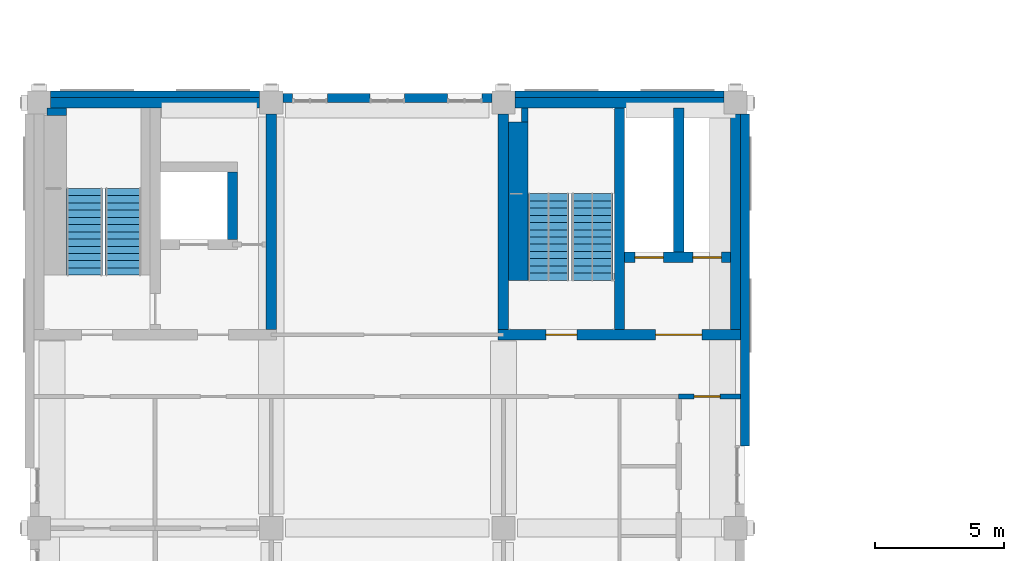
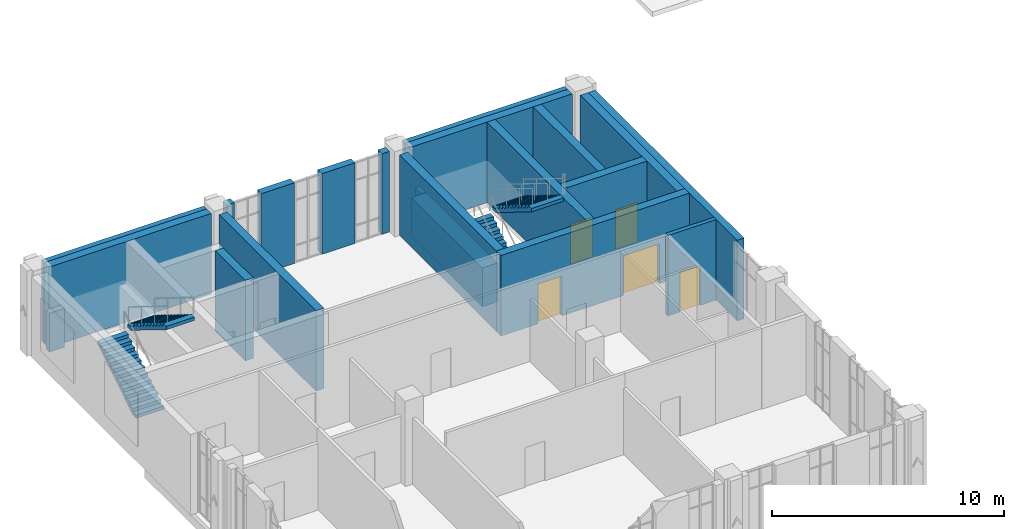
# One storey, part 18 of 25: 21 walls, 5 doors, 4 stair flights, 5 openings, 2 elements without a shape of their own.
"""IFC4 building model written with IfcOpenShell, lengths in metres."""

from ifc_helpers import new_model, si_unit, direction, frame, frame_2d, origin, place, context, subcontext, project, spatial, polyline, rectangle, outline, extrude, material, layer, layer_set, type_object, element, fill, aggregate, save


model = new_model("IFC4")

# Units and contexts
model_context = context("Model", 3, precision=1e-05, world=origin(), true_north=direction((0.0, 1.0)))
body_context = subcontext(model_context, "Body", "Model", "MODEL_VIEW")
ifc_project = project(units=[si_unit("LENGTHUNIT", "METRE"), si_unit("AREAUNIT", "SQUARE_METRE"), si_unit("VOLUMEUNIT", "CUBIC_METRE"), si_unit("PLANEANGLEUNIT", "RADIAN"), si_unit("MASSUNIT", "GRAM", prefix="KILO")], contexts=[model_context])

# Site, building, storey
site_placement = place(None, origin())
site = spatial("IfcSite", under=ifc_project, at=site_placement, CompositionType="ELEMENT")
building_placement = place(site_placement, origin())
building = spatial("IfcBuilding", under=site, at=building_placement, Name="Aurelan Courthouse", CompositionType="ELEMENT")
storey_placement = place(building_placement, frame((0.0, 0.0, 44.39990234375)))
storey = spatial("IfcBuildingStorey", under=building, at=storey_placement, Name="L08", CompositionType="ELEMENT", Elevation=44.39990234375)

# Walls
ifc_material_1 = material(Name="Limestone cladding", Category="masonry")
ifc_layer_1 = layer(ifc_material_1, 0.070068359375, Name="Facing")
ifc_material_2 = material(Name="Ventilated cavity")
ifc_layer_2 = layer(ifc_material_2, 0.02490234375, ventilated=True, Name="Ventilated cavity")
ifc_material_3 = material(Name="Mineral wool insulation")
ifc_layer_3 = layer(ifc_material_3, 0.034912109375, Name="Insulation")
ifc_material_4 = material(Name="Concrete C30", Category="concrete")
ifc_layer_4 = layer(ifc_material_4, 0.1201171875, Name="Structure")
ifc_layer_set_1 = layer_set([ifc_layer_1, ifc_layer_2, ifc_layer_3, ifc_layer_4], Name="Concrete C30")
wall_type_1 = type_object("IfcWallType", Name="Courts' Floors stone-faced wall 250", PredefinedType="SOLIDWALL", material=ifc_layer_set_1)
for number, where, z_axis, x_axis, name in (
    (1, (0.449951171875, 28.824951171875, 0.0), (0.0, 0.0, 1.0), (1.0, 0.0, 0.0), "Facade wall FW-V5-L08-012"),
    (2, (18.449951171875, 28.824951171875, 0.0), (0.0, 0.0, 1.0), (1.0, 0.0, 0.0), "Facade wall FW-V5-L08-017"),
):
    element("IfcWall", number, at=place(storey_placement, frame(where, z_axis=z_axis, x_axis=x_axis)), inside=storey, type_object=wall_type_1, Name=name, PredefinedType="SOLIDWALL", context=body_context, shape_type="SweptSolid", body=[
        extrude(rectangle(XDim=8.10009765625, YDim=0.25, at=frame_2d((4.050048828125, 0.0))), origin(), (0.0, 0.0, 1.0), 4.25),
    ])
ifc_layer_5 = layer(ifc_material_1, 0.10009765625, Name="Facing")
ifc_layer_6 = layer(ifc_material_2, 0.02490234375, ventilated=True, Name="Ventilated cavity")
ifc_layer_7 = layer(ifc_material_3, 0.050048828125, Name="Insulation")
ifc_layer_8 = layer(ifc_material_4, 0.175048828125, Name="Structure")
ifc_layer_set_2 = layer_set([ifc_layer_5, ifc_layer_6, ifc_layer_7, ifc_layer_8], Name="Concrete C30")
wall_type_2 = type_object("IfcWallType", Name="Courts' Floors stone-faced wall 350", PredefinedType="SOLIDWALL", material=ifc_layer_set_2)
wall_1_placement = place(storey_placement, frame((9.449951171875, 28.675048828125, 0.0), z_axis=(0.0, 0.0, 1.0), x_axis=(1.0, 0.0, 0.0)))
element("IfcWall", 3, at=wall_1_placement, inside=storey, type_object=wall_type_2, Name="Facade wall FW-V5-L08-013", PredefinedType="SOLIDWALL", context=body_context, shape_type="SweptSolid", body=[
    extrude(rectangle(XDim=0.375, YDim=0.35009765625, at=frame_2d((0.1875, 0.0))), origin(), (0.0, 0.0, 1.0), 4.25),
])
for number, where, z_axis, x_axis, name in (
    (4, (11.175048828125, 28.675048828125, 0.0), (0.0, 0.0, 1.0), (1.0, 0.0, 0.0), "Facade wall FW-V5-L08-014"),
    (5, (14.175048828125, 28.675048828125, 0.0), (0.0, 0.0, 1.0), (1.0, 0.0, 0.0), "Facade wall FW-V5-L08-015"),
):
    element("IfcWall", number, at=place(storey_placement, frame(where, z_axis=z_axis, x_axis=x_axis)), inside=storey, type_object=wall_type_2, Name=name, PredefinedType="SOLIDWALL", context=body_context, shape_type="SweptSolid", body=[
        extrude(rectangle(XDim=1.64990234375, YDim=0.35009765625, at=frame_2d((0.824951171875, 0.0))), origin(), (0.0, 0.0, 1.0), 4.25),
    ])
wall_2_placement = place(storey_placement, frame((17.175048828125, 28.675048828125, 0.0), z_axis=(0.0, 0.0, 1.0), x_axis=(1.0, 0.0, 0.0)))
element("IfcWall", 6, at=wall_2_placement, inside=storey, type_object=wall_type_2, Name="Facade wall FW-V5-L08-016", PredefinedType="SOLIDWALL", context=body_context, shape_type="SweptSolid", body=[
    extrude(rectangle(XDim=0.375, YDim=0.35009765625, at=frame_2d((0.1875, 0.0))), origin(), (0.0, 0.0, 1.0), 4.25),
])
wall_3_placement = place(storey_placement, frame((27.375, 15.1875, 0.0), z_axis=(0.0, 0.0, 1.0), x_axis=(0.0, 1.0, 0.0)))
element("IfcWall", 7, at=wall_3_placement, inside=storey, type_object=wall_type_2, Name="Facade wall FW-V5-L08-023", PredefinedType="SOLIDWALL", context=body_context, shape_type="SweptSolid", body=[
    extrude(rectangle(XDim=12.862548828125, YDim=0.35009765625, at=frame_2d((6.43115234375, 0.0))), origin(), (0.0, 0.0, 1.0), 4.25),
])

# Wall, opening, door
ifc_material_5 = material(Name="Masonry block", Category="masonry")
ifc_layer_9 = layer(ifc_material_5, 0.199951171875)
ifc_layer_set_3 = layer_set([ifc_layer_9], Name="Masonry block")
wall_type_3 = type_object("IfcWallType", Name="Lift lobby wall 200 EI 60", PredefinedType="PARTITIONING", material=ifc_layer_set_3)
wall_4_placement = place(storey_placement, frame((24.800048828125, 17.10009765625, 0.0), z_axis=(0.0, 0.0, 1.0), x_axis=(1.0, 0.0, 0.0)))
wall_4 = element("IfcWall", 8, at=wall_4_placement, inside=storey, type_object=wall_type_3, Name="Lift lobby wall L08-010", PredefinedType="PARTITIONING", context=body_context, shape_type="SweptSolid", body=[
    extrude(rectangle(XDim=2.39990234375, YDim=0.199951171875, at=frame_2d((1.199951171875, 0.0))), origin(), (0.0, 0.0, 1.0), 4.25),
])
opening_1_placement = place(wall_4_placement, frame((0.60009765625, 0.0, 0.0)))
opening_1 = element("IfcOpeningElement", 9, at=opening_1_placement, cuts=wall_4, Name="Opening D-L08-018", PredefinedType="OPENING", context=body_context, shape_type="SweptSolid", body=[
    extrude(rectangle(XDim=1.0, YDim=2.10009765625, at=frame_2d((0.5, 1.050048828125))), frame((0.0, 0.10986328125, 0.0), z_axis=(0.0, -1.0, 0.0), x_axis=(1.0, 0.0, 0.0)), (0.0, 0.0, 1.0), 0.219970703125),
])
ifc_material_6 = material(Name="Steel", Category="steel")
door_type_1 = type_object("IfcDoorType", Name="Single door 1000 x 2100 FD60", OperationType="SINGLE_SWING_LEFT", PredefinedType="DOOR", material=ifc_material_6)
door_1_placement = place(opening_1_placement, origin())
door_1 = element("IfcDoor", 10, at=door_1_placement, inside=storey, type_object=door_type_1, Name="Single door D-L08-018", OperationType="SINGLE_SWING_RIGHT", OverallHeight=2.10009765625, OverallWidth=1.0, PredefinedType="DOOR", context=body_context, shape_type="SweptSolid", body=[
    extrude(rectangle(XDim=1.0, YDim=2.10009765625, at=frame_2d((0.5, 1.050048828125))), frame((0.0, 0.02490234375, 0.0), z_axis=(0.0, -1.0, 0.0), x_axis=(1.0, 0.0, 0.0)), (0.0, 0.0, 1.0), 0.050048828125),
])
fill(opening_1, door_1)

# Wall, openings, doors
ifc_material_7 = material(Name="Concrete C50", Category="concrete")
ifc_layer_10 = layer(ifc_material_7, 0.39990234375)
ifc_layer_set_4 = layer_set([ifc_layer_10], Name="Concrete C50")
wall_type_4 = type_object("IfcWallType", Name="RC shear wall 400", PredefinedType="SHEAR", material=ifc_layer_set_4)
wall_5_placement = place(storey_placement, frame((17.800048828125, 19.5, 0.0), z_axis=(0.0, 0.0, 1.0), x_axis=(1.0, 0.0, 0.0)))
wall_5 = element("IfcWall", 11, at=wall_5_placement, inside=storey, type_object=wall_type_4, Name="Core wall SW-L08-002", PredefinedType="SHEAR", context=body_context, shape_type="SweptSolid", body=[
    extrude(rectangle(XDim=9.39990234375, YDim=0.39990234375, at=frame_2d((4.699951171875, 0.0))), origin(), (0.0, 0.0, 1.0), 4.25),
])
opening_2_placement = place(wall_5_placement, frame((1.85009765625, 0.0, 0.0)))
opening_2 = element("IfcOpeningElement", 12, at=opening_2_placement, cuts=wall_5, Name="Opening D-L08-006", PredefinedType="OPENING", context=body_context, shape_type="SweptSolid", body=[
    extrude(rectangle(XDim=1.199951171875, YDim=2.10009765625, at=frame_2d((0.60009765625, 1.050048828125))), frame((0.0, 0.2099609375, 0.0), z_axis=(0.0, -1.0, 0.0), x_axis=(1.0, 0.0, 0.0)), (0.0, 0.0, 1.0), 0.419921875),
])
opening_3_placement = place(wall_5_placement, frame((7.900146484375, 0.0, 0.0), z_axis=(0.0, 0.0, 1.0), x_axis=(-1.0, 0.0, 0.0)))
opening_3 = element("IfcOpeningElement", 13, at=opening_3_placement, cuts=wall_5, Name="Opening D-L08-007", PredefinedType="OPENING", context=body_context, shape_type="SweptSolid", body=[
    extrude(rectangle(XDim=1.800048828125, YDim=2.10009765625, at=frame_2d((0.89990234375, 1.050048828125))), frame((0.0, 0.2099609375, 0.0), z_axis=(0.0, -1.0, 0.0), x_axis=(1.0, 0.0, 0.0)), (0.0, 0.0, 1.0), 0.419921875),
])
door_type_2 = type_object("IfcDoorType", Name="Double door 1800 x 2100 FD90", OperationType="DOUBLE_DOOR_SINGLE_SWING", PredefinedType="DOOR", material=ifc_material_6)
door_2_placement = place(opening_3_placement, origin())
door_2 = element("IfcDoor", 14, at=door_2_placement, inside=storey, type_object=door_type_2, Name="Double door D-L08-007", OperationType="DOUBLE_DOOR_SINGLE_SWING", OverallHeight=2.10009765625, OverallWidth=1.800048828125, PredefinedType="DOOR", context=body_context, shape_type="SweptSolid", body=[
    extrude(rectangle(XDim=1.800048828125, YDim=2.10009765625, at=frame_2d((0.89990234375, 1.050048828125))), frame((0.0, 0.02490234375, 0.0), z_axis=(0.0, -1.0, 0.0), x_axis=(1.0, 0.0, 0.0)), (0.0, 0.0, 1.0), 0.050048828125),
])
fill(opening_3, door_2)
door_type_3 = type_object("IfcDoorType", Name="Single door 1200 x 2100 FD90", OperationType="SINGLE_SWING_LEFT", PredefinedType="DOOR", material=ifc_material_6)
door_3_placement = place(opening_2_placement, origin())
door_3 = element("IfcDoor", 15, at=door_3_placement, inside=storey, type_object=door_type_3, Name="Single door D-L08-006", OperationType="SINGLE_SWING_LEFT", OverallHeight=2.10009765625, OverallWidth=1.199951171875, PredefinedType="DOOR", context=body_context, shape_type="SweptSolid", body=[
    extrude(rectangle(XDim=1.199951171875, YDim=2.10009765625, at=frame_2d((0.60009765625, 1.050048828125))), frame((0.0, 0.02490234375, 0.0), z_axis=(0.0, -1.0, 0.0), x_axis=(1.0, 0.0, 0.0)), (0.0, 0.0, 1.0), 0.050048828125),
])
fill(opening_2, door_3)

# Walls
for number, where, z_axis, x_axis, name in (
    (16, (9.0, 19.699951171875, 0.0), (0.0, 0.0, 1.0), (0.0, 1.0, 0.0), "Core wall SW-L08-005"),
    (17, (18.0, 19.699951171875, 0.0), (0.0, 0.0, 1.0), (0.0, 1.0, 0.0), "Core wall SW-L08-006"),
):
    element("IfcWall", number, at=place(storey_placement, frame(where, z_axis=z_axis, x_axis=x_axis)), inside=storey, type_object=wall_type_4, Name=name, PredefinedType="SHEAR", context=body_context, shape_type="SweptSolid", body=[
        extrude(rectangle(XDim=8.35009765625, YDim=0.39990234375, at=frame_2d((4.175048828125, 0.0))), origin(), (0.0, 0.0, 1.0), 4.25),
    ])
wall_6_placement = place(storey_placement, frame((22.5, 19.699951171875, 0.0), z_axis=(0.0, 0.0, 1.0), x_axis=(0.0, 1.0, 0.0)))
element("IfcWall", 18, at=wall_6_placement, inside=storey, type_object=wall_type_4, Name="Core wall SW-L08-007", PredefinedType="SHEAR", context=body_context, shape_type="SweptSolid", body=[
    extrude(rectangle(XDim=8.60009765625, YDim=0.39990234375, at=frame_2d((4.300048828125, 0.0))), origin(), (0.0, 0.0, 1.0), 4.25),
])
wall_7_placement = place(storey_placement, frame((27.0, 19.699951171875, 0.0), z_axis=(0.0, 0.0, 1.0), x_axis=(0.0, 1.0, 0.0)))
element("IfcWall", 19, at=wall_7_placement, inside=storey, type_object=wall_type_4, Name="Core wall SW-L08-008", PredefinedType="SHEAR", context=body_context, shape_type="SweptSolid", body=[
    extrude(rectangle(XDim=8.35009765625, YDim=0.39990234375, at=frame_2d((4.175048828125, 0.0))), origin(), (0.0, 0.0, 1.0), 4.25),
])

# Wall, openings, doors
wall_8_placement = place(storey_placement, frame((22.699951171875, 22.5, 0.0), z_axis=(0.0, 0.0, 1.0), x_axis=(1.0, 0.0, 0.0)))
wall_8 = element("IfcWall", 20, at=wall_8_placement, inside=storey, type_object=wall_type_4, Name="Core wall SW-L08-009", PredefinedType="SHEAR", context=body_context, shape_type="SweptSolid", body=[
    extrude(rectangle(XDim=4.10009765625, YDim=0.39990234375, at=frame_2d((2.050048828125, 0.0))), origin(), (0.0, 0.0, 1.0), 4.25),
])
opening_4_placement = place(wall_8_placement, frame((0.39990234375, 0.0, 0.0)))
opening_4 = element("IfcOpeningElement", 21, at=opening_4_placement, cuts=wall_8, Name="Opening LD-V5-P1-L08", PredefinedType="OPENING", context=body_context, shape_type="SweptSolid", body=[
    extrude(rectangle(XDim=1.10009765625, YDim=2.10009765625, at=frame_2d((0.550048828125, 1.050048828125))), frame((0.0, 0.2099609375, 0.0), z_axis=(0.0, -1.0, 0.0), x_axis=(1.0, 0.0, 0.0)), (0.0, 0.0, 1.0), 0.419921875),
])
opening_5_placement = place(wall_8_placement, frame((2.64990234375, 0.0, 0.0)))
opening_5 = element("IfcOpeningElement", 22, at=opening_5_placement, cuts=wall_8, Name="Opening LD-V5-P2-L08", PredefinedType="OPENING", context=body_context, shape_type="SweptSolid", body=[
    extrude(rectangle(XDim=1.10009765625, YDim=2.10009765625, at=frame_2d((0.550048828125, 1.050048828125))), frame((0.0, 0.2099609375, 0.0), z_axis=(0.0, -1.0, 0.0), x_axis=(1.0, 0.0, 0.0)), (0.0, 0.0, 1.0), 0.419921875),
])
door_type_4 = type_object("IfcDoorType", Name="Lift landing door 1100 x 2100 FD90", OperationType="SLIDING_TO_LEFT", PredefinedType="DOOR", material=ifc_material_6)
door_4_placement = place(opening_4_placement, origin())
door_4 = element("IfcDoor", 23, at=door_4_placement, inside=storey, type_object=door_type_4, Name="Lift landing door LD-V5-P1-L08", OperationType="SLIDING_TO_LEFT", OverallHeight=2.10009765625, OverallWidth=1.10009765625, PredefinedType="DOOR", context=body_context, shape_type="SweptSolid", body=[
    extrude(rectangle(XDim=1.10009765625, YDim=2.10009765625, at=frame_2d((0.550048828125, 1.050048828125))), frame((0.0, 0.02490234375, 0.0), z_axis=(0.0, -1.0, 0.0), x_axis=(1.0, 0.0, 0.0)), (0.0, 0.0, 1.0), 0.050048828125),
])
fill(opening_4, door_4)
door_5_placement = place(opening_5_placement, origin())
door_5 = element("IfcDoor", 24, at=door_5_placement, inside=storey, type_object=door_type_4, Name="Lift landing door LD-V5-P2-L08", OperationType="SLIDING_TO_LEFT", OverallHeight=2.10009765625, OverallWidth=1.10009765625, PredefinedType="DOOR", context=body_context, shape_type="SweptSolid", body=[
    extrude(rectangle(XDim=1.10009765625, YDim=2.10009765625, at=frame_2d((0.550048828125, 1.050048828125))), frame((0.0, 0.02490234375, 0.0), z_axis=(0.0, -1.0, 0.0), x_axis=(1.0, 0.0, 0.0)), (0.0, 0.0, 1.0), 0.050048828125),
])
fill(opening_5, door_5)

# Walls
wall_9_placement = place(storey_placement, frame((24.800048828125, 22.699951171875, 0.0), z_axis=(0.0, 0.0, 1.0), x_axis=(0.0, 1.0, 0.0)))
element("IfcWall", 25, at=wall_9_placement, inside=storey, type_object=wall_type_4, Name="Core wall SW-L08-010", PredefinedType="SHEAR", context=body_context, shape_type="SweptSolid", body=[
    extrude(rectangle(XDim=5.60009765625, YDim=0.39990234375, at=frame_2d((2.800048828125, 0.0))), origin(), (0.0, 0.0, 1.0), 4.25),
])
wall_10_placement = place(storey_placement, frame((7.5, 23.199951171875, 0.0), z_axis=(0.0, 0.0, 1.0), x_axis=(0.0, 1.0, 0.0)))
element("IfcWall", 26, at=wall_10_placement, inside=storey, type_object=wall_type_4, Name="Core wall SW-L08-012", PredefinedType="SHEAR", context=body_context, shape_type="SweptSolid", body=[
    extrude(rectangle(XDim=2.60009765625, YDim=0.39990234375, at=frame_2d((1.300048828125, 0.0))), origin(), (0.0, 0.0, 1.0), 4.25),
])
for number, where, z_axis, x_axis, name in (
    (27, (0.449951171875, 28.5, 0.0), (0.0, 0.0, 1.0), (1.0, 0.0, 0.0), "Core wall SW-L08-014"),
    (28, (18.449951171875, 28.5, 0.0), (0.0, 0.0, 1.0), (1.0, 0.0, 0.0), "Core wall SW-L08-015"),
):
    element("IfcWall", number, at=place(storey_placement, frame(where, z_axis=z_axis, x_axis=x_axis)), inside=storey, type_object=wall_type_4, Name=name, PredefinedType="SHEAR", context=body_context, shape_type="SweptSolid", body=[
        extrude(rectangle(XDim=8.10009765625, YDim=0.39990234375, at=frame_2d((4.050048828125, 0.0))), origin(), (0.0, 0.0, 1.0), 4.25),
    ])
ifc_layer_11 = layer(ifc_material_4, 0.25)
ifc_layer_set_5 = layer_set([ifc_layer_11], Name="Concrete C30")
wall_type_5 = type_object("IfcWallType", Name="Stair well wall 250 EI 120 load-bearing", PredefinedType="SHEAR", material=ifc_layer_set_5)
wall_11_placement = place(storey_placement, frame((18.824951171875, 27.75, 0.0), z_axis=(0.0, 0.0, 1.0), x_axis=(0.0, 1.0, 0.0)))
element("IfcWall", 29, at=wall_11_placement, inside=storey, type_object=wall_type_5, Name="Stair well wall ST-5A-L08 A2", PredefinedType="SHEAR", context=body_context, shape_type="SweptSolid", body=[
    extrude(rectangle(XDim=0.550048828125, YDim=0.25, at=frame_2d((0.27490234375, 0.0))), origin(), (0.0, 0.0, 1.0), 2.050048828125),
])
ifc_layer_12 = layer(ifc_material_4, 0.75)
ifc_layer_set_6 = layer_set([ifc_layer_12], Name="Concrete C30")
wall_type_6 = type_object("IfcWallType", Name="Stair well wall 750 EI 120 load-bearing", PredefinedType="SHEAR", material=ifc_layer_set_6)
wall_12_placement = place(storey_placement, frame((18.574951171875, 21.610107421875, 0.0), z_axis=(0.0, 0.0, 1.0), x_axis=(0.0, 1.0, 0.0)))
element("IfcWall", 30, at=wall_12_placement, inside=storey, type_object=wall_type_6, Name="Stair well wall ST-5A-L08 A", PredefinedType="SHEAR", context=body_context, shape_type="SweptSolid", body=[
    extrude(rectangle(XDim=6.139892578125, YDim=0.75, at=frame_2d((3.06982421875, 0.0))), origin(), (0.0, 0.0, 1.0), 2.050048828125),
])
ifc_layer_13 = layer(ifc_material_4, 0.760009765625)
ifc_layer_set_7 = layer_set([ifc_layer_13], Name="Concrete C30")
wall_type_7 = type_object("IfcWallType", Name="Stair well wall 760 EI 120 load-bearing", PredefinedType="SHEAR", material=ifc_layer_set_7)
wall_13_placement = place(storey_placement, frame((0.679931640625, 28.0, 0.0), z_axis=(0.0, 0.0, 1.0), x_axis=(0.0, 1.0, 0.0)))
element("IfcWall", 31, at=wall_13_placement, inside=storey, type_object=wall_type_7, Name="Stair well wall ST-5B-L08 A2", PredefinedType="SHEAR", context=body_context, shape_type="SweptSolid", body=[
    extrude(rectangle(XDim=0.300048828125, YDim=0.760009765625, at=frame_2d((0.14990234375, 0.0))), origin(), (0.0, 0.0, 1.0), 2.050048828125),
])

# Stair, stair flights
stair_type_1 = type_object("IfcStairType", Name="Half-turn stair 1400 wide 26 risers", PredefinedType="HALF_TURN_STAIR", material=ifc_material_4)
stair_1_placement = place(storey_placement, origin())
stair_1 = element("IfcStair", 32, at=stair_1_placement, inside=storey, type_object=stair_type_1, Name="Stair ST-5B-L08", PredefinedType="HALF_TURN_STAIR")
stair_flight_type_1 = type_object("IfcStairFlightType", Name="Stair flight 1400 wide 13 risers", PredefinedType="STRAIGHT", material=ifc_material_4)
stair_flight_1_placement = place(storey_placement, frame((1.760009765625, 21.81005859375, 0.0), z_axis=(0.0, 0.0, 1.0), x_axis=(0.0, 1.0, 0.0)))
stair_flight_1 = element("IfcStairFlight", 33, at=stair_flight_1_placement, type_object=stair_flight_type_1, Name="Stair ST-5B-L08 flight 1", NumberOfRisers=13, NumberOfTreads=12, PredefinedType="STRAIGHT", RiserHeight=0.173076923, TreadLength=0.28, context=body_context, shape_type="SweptSolid", body=[
    extrude(outline(polyline([(0.0, 0.0), (0.0, 0.173095703125), (0.280029296875, 0.173095703125), (0.280029296875, 0.34619140625), (0.56005859375, 0.34619140625), (0.56005859375, 0.519287109375), (0.840087890625, 0.519287109375), (0.840087890625, 0.6923828125), (1.1201171875, 0.6923828125), (1.1201171875, 0.865478515625), (1.39990234375, 0.865478515625), (1.39990234375, 1.03857421875), (1.679931640625, 1.03857421875), (1.679931640625, 1.21142578125), (1.9599609375, 1.21142578125), (1.9599609375, 1.384521484375), (2.239990234375, 1.384521484375), (2.239990234375, 1.5576171875), (2.52001953125, 1.5576171875), (2.52001953125, 1.730712890625), (2.800048828125, 1.730712890625), (2.800048828125, 1.90380859375), (3.080078125, 1.90380859375), (3.080078125, 2.076904296875), (3.360107421875, 2.076904296875), (3.360107421875, 2.25), (3.360107421875, 1.900634765625), (0.28515625, 0.0), (0.0, 0.0)])), frame((0.0, 0.699951171875, 0.0), z_axis=(0.0, -1.0, 0.0), x_axis=(1.0, 0.0, 0.0)), (0.0, 0.0, 1.0), 1.39990234375),
])
stair_flight_2_placement = place(storey_placement, frame((3.260009765625, 25.169921875, 2.25), z_axis=(0.0, 0.0, 1.0), x_axis=(0.0, -1.0, 0.0)))
stair_flight_2 = element("IfcStairFlight", 34, at=stair_flight_2_placement, type_object=stair_flight_type_1, Name="Stair ST-5B-L08 flight 2", NumberOfRisers=13, NumberOfTreads=12, PredefinedType="STRAIGHT", RiserHeight=0.173076923, TreadLength=0.28, context=body_context, shape_type="SweptSolid", body=[
    extrude(outline(polyline([(0.0, 0.0), (0.0, 0.173095703125), (0.280029296875, 0.173095703125), (0.280029296875, 0.34619140625), (0.56005859375, 0.34619140625), (0.56005859375, 0.519287109375), (0.840087890625, 0.519287109375), (0.840087890625, 0.6923828125), (1.1201171875, 0.6923828125), (1.1201171875, 0.865478515625), (1.39990234375, 0.865478515625), (1.39990234375, 1.03857421875), (1.679931640625, 1.03857421875), (1.679931640625, 1.21142578125), (1.9599609375, 1.21142578125), (1.9599609375, 1.384521484375), (2.239990234375, 1.384521484375), (2.239990234375, 1.5576171875), (2.52001953125, 1.5576171875), (2.52001953125, 1.730712890625), (2.800048828125, 1.730712890625), (2.800048828125, 1.90380859375), (3.080078125, 1.90380859375), (3.080078125, 2.076904296875), (3.360107421875, 2.076904296875), (3.360107421875, 2.25), (3.360107421875, 1.900634765625), (0.28515625, 0.0), (0.0, 0.0)])), frame((0.0, 0.699951171875, 0.0), z_axis=(0.0, -1.0, 0.0), x_axis=(1.0, 0.0, 0.0)), (0.0, 0.0, 1.0), 1.39990234375),
])
aggregate(stair_1, [stair_flight_1, stair_flight_2])

stair_type_2 = type_object("IfcStairType", Name="Half-turn stair 1600 wide 26 risers", PredefinedType="HALF_TURN_STAIR", material=ifc_material_4)
stair_2_placement = place(storey_placement, origin())
stair_2 = element("IfcStair", 35, at=stair_2_placement, inside=storey, type_object=stair_type_2, Name="Stair ST-5A-L08", PredefinedType="HALF_TURN_STAIR")
stair_flight_type_2 = type_object("IfcStairFlightType", Name="Stair flight 1600 wide 13 risers", PredefinedType="STRAIGHT", material=ifc_material_4)
stair_flight_3_placement = place(storey_placement, frame((19.75, 21.610107421875, 0.0), z_axis=(0.0, 0.0, 1.0), x_axis=(0.0, 1.0, 0.0)))
stair_flight_3 = element("IfcStairFlight", 36, at=stair_flight_3_placement, type_object=stair_flight_type_2, Name="Stair ST-5A-L08 flight 1", NumberOfRisers=13, NumberOfTreads=12, PredefinedType="STRAIGHT", RiserHeight=0.173076923, TreadLength=0.28, context=body_context, shape_type="SweptSolid", body=[
    extrude(outline(polyline([(0.0, 0.0), (0.0, 0.173095703125), (0.280029296875, 0.173095703125), (0.280029296875, 0.34619140625), (0.56005859375, 0.34619140625), (0.56005859375, 0.519287109375), (0.840087890625, 0.519287109375), (0.840087890625, 0.6923828125), (1.1201171875, 0.6923828125), (1.1201171875, 0.865478515625), (1.39990234375, 0.865478515625), (1.39990234375, 1.03857421875), (1.679931640625, 1.03857421875), (1.679931640625, 1.21142578125), (1.9599609375, 1.21142578125), (1.9599609375, 1.384521484375), (2.239990234375, 1.384521484375), (2.239990234375, 1.5576171875), (2.52001953125, 1.5576171875), (2.52001953125, 1.730712890625), (2.800048828125, 1.730712890625), (2.800048828125, 1.90380859375), (3.080078125, 1.90380859375), (3.080078125, 2.076904296875), (3.360107421875, 2.076904296875), (3.360107421875, 2.25), (3.360107421875, 1.900634765625), (0.28515625, 0.0), (0.0, 0.0)])), frame((0.0, 0.800048828125, 0.0), z_axis=(0.0, -1.0, 0.0), x_axis=(1.0, 0.0, 0.0)), (0.0, 0.0, 1.0), 1.60009765625),
])
stair_flight_4_placement = place(storey_placement, frame((21.449951171875, 24.969970703125, 2.25), z_axis=(0.0, 0.0, 1.0), x_axis=(0.0, -1.0, 0.0)))
stair_flight_4 = element("IfcStairFlight", 37, at=stair_flight_4_placement, type_object=stair_flight_type_2, Name="Stair ST-5A-L08 flight 2", NumberOfRisers=13, NumberOfTreads=12, PredefinedType="STRAIGHT", RiserHeight=0.173076923, TreadLength=0.28, context=body_context, shape_type="SweptSolid", body=[
    extrude(outline(polyline([(0.0, 0.0), (0.0, 0.173095703125), (0.280029296875, 0.173095703125), (0.280029296875, 0.34619140625), (0.56005859375, 0.34619140625), (0.56005859375, 0.519287109375), (0.840087890625, 0.519287109375), (0.840087890625, 0.6923828125), (1.1201171875, 0.6923828125), (1.1201171875, 0.865478515625), (1.39990234375, 0.865478515625), (1.39990234375, 1.03857421875), (1.679931640625, 1.03857421875), (1.679931640625, 1.21142578125), (1.9599609375, 1.21142578125), (1.9599609375, 1.384521484375), (2.239990234375, 1.384521484375), (2.239990234375, 1.5576171875), (2.52001953125, 1.5576171875), (2.52001953125, 1.730712890625), (2.800048828125, 1.730712890625), (2.800048828125, 1.90380859375), (3.080078125, 1.90380859375), (3.080078125, 2.076904296875), (3.360107421875, 2.076904296875), (3.360107421875, 2.25), (3.360107421875, 1.900634765625), (0.28515625, 0.0), (0.0, 0.0)])), frame((0.0, 0.800048828125, 0.0), z_axis=(0.0, -1.0, 0.0), x_axis=(1.0, 0.0, 0.0)), (0.0, 0.0, 1.0), 1.60009765625),
])
aggregate(stair_2, [stair_flight_3, stair_flight_4])

save(model, "model.ifc")
